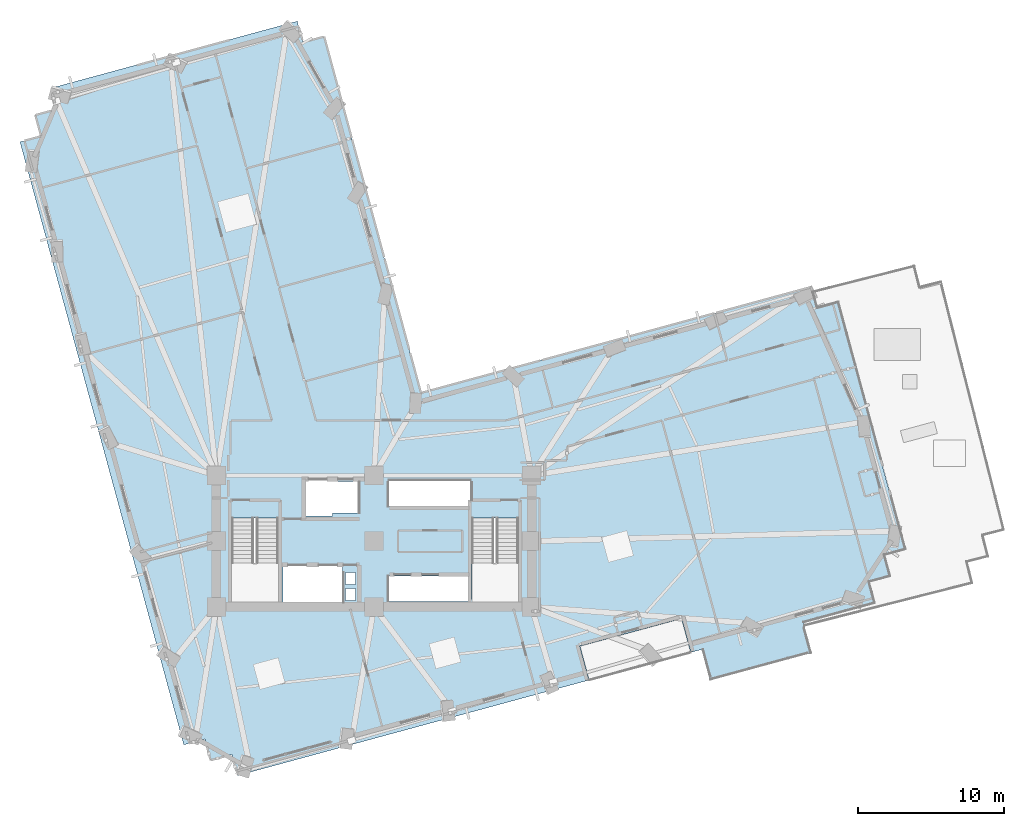
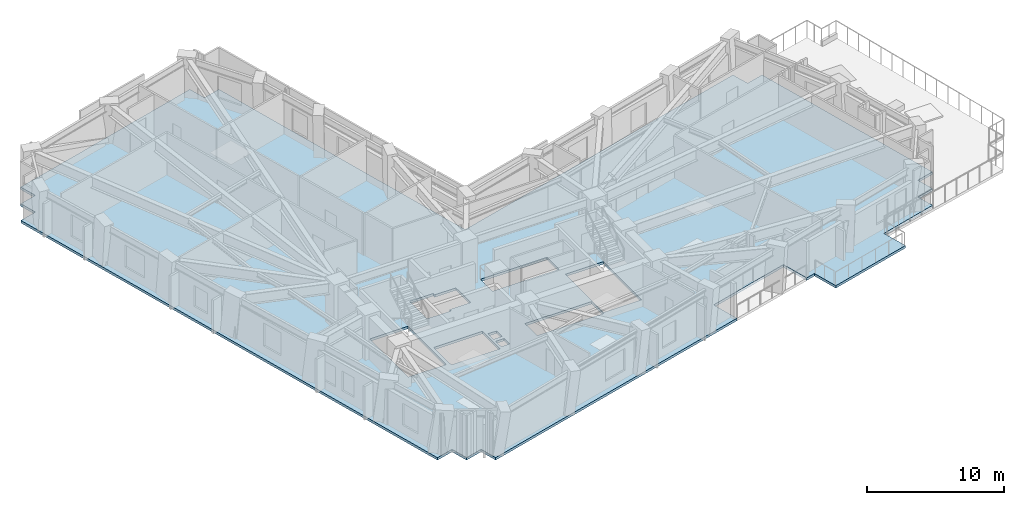
# One storey, part 5 of 15: 1 slab.
"""IFC4 building model written with IfcOpenShell, lengths in metres."""

from ifc_helpers import new_model, si_unit, direction, frame, origin, place, context, subcontext, project, spatial, polyline, outline, extrude, material, layer, layer_set, type_object, element, save


model = new_model("IFC4")

# Units and contexts
model_context = context("Model", 3, precision=1e-05, world=origin(), true_north=direction((0.0, 1.0)))
body_context = subcontext(model_context, "Body", "Model", "MODEL_VIEW")
ifc_project = project(units=[si_unit("LENGTHUNIT", "METRE"), si_unit("AREAUNIT", "SQUARE_METRE"), si_unit("VOLUMEUNIT", "CUBIC_METRE"), si_unit("PLANEANGLEUNIT", "RADIAN"), si_unit("MASSUNIT", "GRAM", prefix="KILO")], contexts=[model_context])

# Site, building, storey
site_placement = place(None, origin())
site = spatial("IfcSite", under=ifc_project, at=site_placement, CompositionType="ELEMENT")
building_placement = place(site_placement, origin())
building = spatial("IfcBuilding", under=site, at=building_placement, Name="Gaonmaruhae Medical Tower", CompositionType="ELEMENT")
storey_placement = place(building_placement, frame((0.0, 0.0, 88.39990234375)))
storey = spatial("IfcBuildingStorey", under=building, at=storey_placement, Name="L20", CompositionType="ELEMENT", Elevation=88.39990234375)

# Slab
ifc_material = material(Name="Concrete C40/50", Category="concrete")
ifc_layer = layer(ifc_material, 0.219970703125)
ifc_layer_set = layer_set([ifc_layer], Name="Concrete C40/50")
slab_type = type_object("IfcSlabType", Name="FS-220 Clinical Ward Composite Floor Slab", PredefinedType="FLOOR", material=ifc_layer_set)
slab_placement = place(storey_placement, frame((0.0, 0.0, -0.219970703125)))
element("IfcSlab", 1, at=slab_placement, inside=storey, type_object=slab_type, Name="L20 Structural Slab 1", PredefinedType="FLOOR", context=body_context, shape_type="SweptSolid", body=[
    extrude(outline(polyline([(15.05908203125, -2.3095703125), (13.61181640625, -2.702880859375), (13.218505859375, -1.25537109375), (11.77099609375, -1.648681640625), (0.54931640625, 39.654052734375), (1.99658203125, 40.04736328125), (1.603515625, 41.494873046875), (3.051025390625, 41.88818359375), (2.65771484375, 43.335693359375), (19.54541015625, 47.924072265625), (19.938720703125, 46.4765625), (21.38623046875, 46.869873046875), (28.019775390625, 22.454833984375), (54.75048828125, 29.717529296875), (55.143798828125, 28.27001953125), (56.59130859375, 28.663330078125), (61.1796875, 11.775390625), (59.732177734375, 11.382080078125), (60.12548828125, 9.934814453125), (58.677978515625, 9.54150390625), (59.0712890625, 8.09375), (54.21630859375, 6.77490234375), (54.793212890625, 4.651611328125), (47.844970703125, 2.763916015625), (47.26806640625, 4.886962890625), (46.49609375, 4.67724609375), (45.866943359375, 6.993408203125), (38.918701171875, 5.10546875), (39.548095703125, 2.78955078125), (15.452392578125, -3.757080078125), (15.05908203125, -2.3095703125)]), holes=[polyline([(23.550048828125, 8.25), (22.85009765625, 8.25), (22.85009765625, 9.050048828125), (23.550048828125, 9.050048828125), (23.550048828125, 8.25)]), polyline([(25.824951171875, 9.925048828125), (31.425048828125, 9.925048828125), (31.425048828125, 8.175048828125), (25.824951171875, 8.175048828125), (25.824951171875, 9.925048828125)]), polyline([(22.64990234375, 10.625), (22.64990234375, 8.074951171875), (18.550048828125, 8.074951171875), (18.550048828125, 10.625), (22.64990234375, 10.625)]), polyline([(23.550048828125, 9.35009765625), (22.85009765625, 9.35009765625), (22.85009765625, 10.14990234375), (23.550048828125, 10.14990234375), (23.550048828125, 9.35009765625)]), polyline([(15.050048828125, 13.889892578125), (18.25, 13.889892578125), (18.25, 8.300048828125), (15.050048828125, 8.300048828125), (15.050048828125, 13.889892578125)]), polyline([(31.5, 13.889892578125), (34.699951171875, 13.889892578125), (34.699951171875, 8.300048828125), (31.5, 8.300048828125), (31.5, 13.889892578125)]), polyline([(21.949951171875, 14.22509765625), (21.949951171875, 14.02490234375), (19.949951171875, 14.02490234375), (19.949951171875, 16.574951171875), (21.949951171875, 16.574951171875), (21.949951171875, 16.375), (23.72509765625, 16.375), (23.72509765625, 14.22509765625), (21.949951171875, 14.22509765625)]), polyline([(25.824951171875, 16.425048828125), (31.425048828125, 16.425048828125), (31.425048828125, 14.675048828125), (25.824951171875, 14.675048828125), (25.824951171875, 16.425048828125)])]), origin(), (0.0, 0.0, 1.0), 0.219970703125),
])

save(model, "model.ifc")
